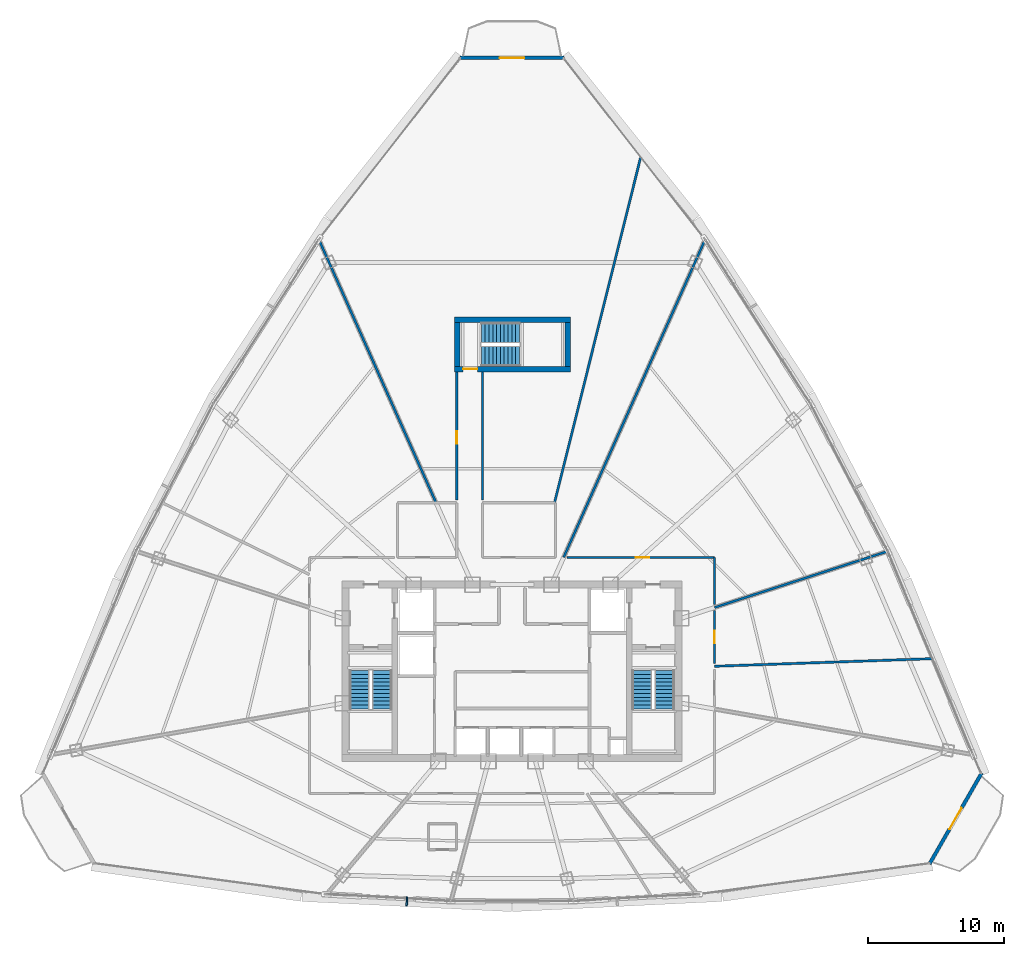
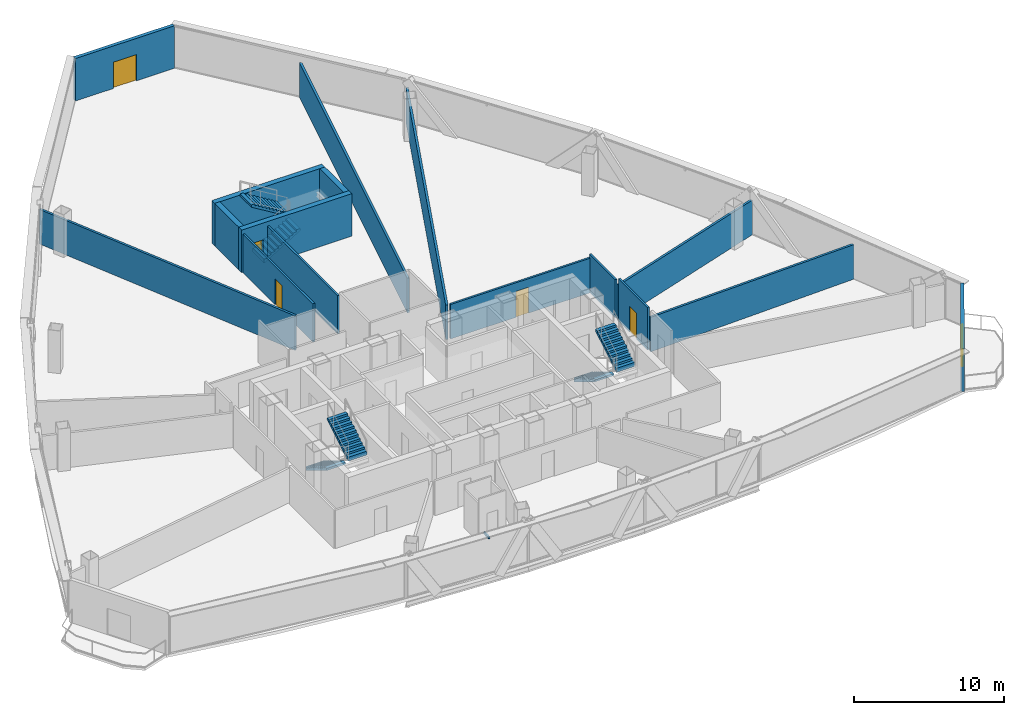
# One storey, part 32 of 37: 16 walls, 6 doors, 6 stair flights, 1 discrete accessory, 6 openings, 3 elements without a shape of their own.
"""IFC4 building model written with IfcOpenShell, lengths in metres."""

from ifc_helpers import new_model, si_unit, direction, frame, frame_2d, origin, origin_with_axes, origin_2d, place, context, subcontext, project, spatial, polyline, rectangle, outline, extrude, source, transform, mapped, material, layer, layer_set, type_object, element, fill, aggregate, save


model = new_model("IFC4")

# Units and contexts
model_context = context("Model", 3, precision=1e-05, world=origin(), true_north=direction((0.0, 1.0)))
body_context = subcontext(model_context, "Body", "Model", "MODEL_VIEW")
ifc_project = project(units=[si_unit("LENGTHUNIT", "METRE"), si_unit("AREAUNIT", "SQUARE_METRE"), si_unit("VOLUMEUNIT", "CUBIC_METRE"), si_unit("PLANEANGLEUNIT", "RADIAN"), si_unit("MASSUNIT", "GRAM", prefix="KILO"), si_unit("THERMODYNAMICTEMPERATUREUNIT", "KELVIN"), si_unit("POWERUNIT", "WATT")], contexts=[model_context])

# Site, building, storey
site_placement = place(None, origin())
site = spatial("IfcSite", under=ifc_project, at=site_placement, CompositionType="ELEMENT")
building_placement = place(site_placement, origin())
building = spatial("IfcBuilding", under=site, at=building_placement, Name="Yunzhuo Pagoda Commons", CompositionType="ELEMENT")
storey_placement = place(building_placement, frame((0.0, 0.0, 251.989990234375)))
storey = spatial("IfcBuildingStorey", under=building, at=storey_placement, Name="L63", CompositionType="ELEMENT", Elevation=251.989990234375)

# Wall, opening, door
ifc_material_1 = material(Name="Precast concrete C40", Category="concrete")
ifc_layer_1 = layer(ifc_material_1, 0.260009765625)
ifc_layer_set_1 = layer_set([ifc_layer_1], Name="Precast concrete C40")
wall_type_1 = type_object("IfcWallType", Name="W-BAL1 Corner Balcony Threshold Wall 260", PredefinedType="STANDARD", material=ifc_layer_set_1)
wall_1_placement = place(storey_placement, frame((78.593017578125, 19.728515625, 0.0), z_axis=(0.0, 0.0, 1.0), x_axis=(0.497934343816, 0.867214730761, 0.0)))
wall_1 = element("IfcWall", 1, at=wall_1_placement, inside=storey, type_object=wall_type_1, Name="L63 corner balcony wall V2", PredefinedType="STANDARD", context=body_context, shape_type="SweptSolid", body=[
    extrude(rectangle(XDim=7.68359375, YDim=0.260009765625, at=frame_2d((3.841796875, 0.0))), origin(), (0.0, 0.0, 1.0), 3.469970703125),
])
opening_1_placement = place(wall_1_placement, frame((2.94189453125, 0.0, 0.0)))
opening_1 = element("IfcOpeningElement", 2, at=opening_1_placement, cuts=wall_1, Name="Opening D-BAL1", PredefinedType="OPENING", context=body_context, shape_type="SweptSolid", body=[
    extrude(rectangle(XDim=1.800048828125, YDim=2.14990234375, at=frame_2d((0.89990234375, 1.074951171875))), frame((0.0, 0.14013671875, 0.0), z_axis=(0.0, -1.0, 0.0), x_axis=(1.0, 0.0, 0.0)), (0.0, 0.0, 1.0), 0.280029296875),
])
ifc_material_2 = material(Name="Anodized aluminium frame and tempered glazed leaf", Category="aluminium")
door_type_1 = type_object("IfcDoorType", Name="D-BAL1 Corner Balcony Sliding Glazed Door 1800x2150", OperationType="DOUBLE_DOOR_SLIDING", PredefinedType="DOOR", material=ifc_material_2)
shared_shape_1 = source(origin(), body_context, "Body", "SweptSolid", [
    extrude(rectangle(XDim=1.800048828125, YDim=2.14990234375, at=frame_2d((0.89990234375, 1.074951171875))), frame((0.0, 0.02490234375, 0.0), z_axis=(0.0, -1.0, 0.0), x_axis=(1.0, 0.0, 0.0)), (0.0, 0.0, 1.0), 0.050048828125),
])
door_1_placement = place(opening_1_placement, origin_with_axes())
door_1 = element("IfcDoor", 3, at=door_1_placement, inside=storey, type_object=door_type_1, Name="L63 corner balcony sliding door V2", OperationType="DOUBLE_DOOR_SLIDING", OverallHeight=2.14990234375, OverallWidth=1.800048828125, PredefinedType="DOOR", context=body_context, shape_type="MappedRepresentation", body=[
    mapped(shared_shape_1, transform((0.0, 0.0, 0.0), scale=1.0)),
])
fill(opening_1, door_1)

wall_2_placement = place(storey_placement, frame((51.826416015625, 78.797119140625, 0.0), z_axis=(0.0, 0.0, 1.0), x_axis=(-1.0, 0.0, 0.0)))
wall_2 = element("IfcWall", 4, at=wall_2_placement, inside=storey, type_object=wall_type_1, Name="L63 corner balcony wall V3", PredefinedType="STANDARD", context=body_context, shape_type="SweptSolid", body=[
    extrude(rectangle(XDim=7.65283203125, YDim=0.260009765625, at=frame_2d((3.826416015625, 0.0))), origin(), (0.0, 0.0, 1.0), 3.469970703125),
])
opening_2_placement = place(wall_2_placement, frame((2.926513671875, 0.0, 0.0)))
opening_2 = element("IfcOpeningElement", 5, at=opening_2_placement, cuts=wall_2, Name="Opening D-BAL1", PredefinedType="OPENING", context=body_context, shape_type="SweptSolid", body=[
    extrude(rectangle(XDim=1.800048828125, YDim=2.14990234375, at=frame_2d((0.89990234375, 1.074951171875))), frame((0.0, 0.14013671875, 0.0), z_axis=(0.0, -1.0, 0.0), x_axis=(1.0, 0.0, 0.0)), (0.0, 0.0, 1.0), 0.280029296875),
])
door_2_placement = place(opening_2_placement, origin_with_axes())
door_2 = element("IfcDoor", 6, at=door_2_placement, inside=storey, type_object=door_type_1, Name="L63 corner balcony sliding door V3", OperationType="DOUBLE_DOOR_SLIDING", OverallHeight=2.14990234375, OverallWidth=1.800048828125, PredefinedType="DOOR", context=body_context, shape_type="MappedRepresentation", body=[
    mapped(shared_shape_1, transform((0.0, 0.0, 0.0), scale=1.0)),
])
fill(opening_2, door_2)

ifc_material_3 = material(Name="Gypsum plasterboard on acoustic stud")
ifc_layer_2 = layer(ifc_material_3, 0.14990234375)
ifc_layer_set_2 = layer_set([ifc_layer_2], Name="Gypsum plasterboard on acoustic stud")
wall_type_2 = type_object("IfcWallType", Name="W-COR3 High-Zone Rated Corridor Wall 150", PredefinedType="PARTITIONING", material=ifc_layer_set_2)
wall_3_placement = place(storey_placement, frame((43.949951171875, 46.419921875, 0.0), z_axis=(0.0, 0.0, 1.0), x_axis=(0.0, 1.0, 0.0)))
wall_3 = element("IfcWall", 7, at=wall_3_placement, inside=storey, type_object=wall_type_2, Name="L63 interior wall IW-L63-CWL06", PredefinedType="PARTITIONING", context=body_context, shape_type="SweptSolid", body=[
    extrude(rectangle(XDim=9.360107421875, YDim=0.14990234375, at=frame_2d((4.68017578125, 0.0))), origin(), (0.0, 0.0, 1.0), 3.1201171875),
])
opening_3_placement = place(wall_3_placement, frame((4.110107421875, 0.0, 0.0)))
opening_3 = element("IfcOpeningElement", 8, at=opening_3_placement, cuts=wall_3, Name="Opening D-04", PredefinedType="OPENING", context=body_context, shape_type="SweptSolid", body=[
    extrude(rectangle(XDim=0.919921875, YDim=2.10009765625, at=frame_2d((0.4599609375, 1.050048828125))), frame((0.0, 0.0849609375, 0.0), z_axis=(0.0, -1.0, 0.0), x_axis=(1.0, 0.0, 0.0)), (0.0, 0.0, 1.0), 0.169921875),
])
ifc_material_4 = material(Name="Powder-coated aluminium and timber acoustic leaf", Category="wood")
door_type_2 = type_object("IfcDoorType", Name="D-04 Bedroom & Study Interior Door 920x2100", OperationType="NOTDEFINED", PredefinedType="DOOR", material=ifc_material_4)
shared_shape_2 = source(origin(), body_context, "Body", "SweptSolid", [
    extrude(rectangle(XDim=0.919921875, YDim=2.10009765625, at=frame_2d((0.4599609375, 1.050048828125))), frame((0.0, 0.02490234375, 0.0), z_axis=(0.0, -1.0, 0.0), x_axis=(1.0, 0.0, 0.0)), (0.0, 0.0, 1.0), 0.050048828125),
])
door_3_placement = place(opening_3_placement, origin_with_axes())
door_3 = element("IfcDoor", 9, at=door_3_placement, inside=storey, type_object=door_type_2, Name="L63 seminar room 04 door", OperationType="SINGLE_SWING_RIGHT", OverallHeight=2.10009765625, OverallWidth=0.919921875, PredefinedType="DOOR", context=body_context, shape_type="MappedRepresentation", body=[
    mapped(shared_shape_2, transform((0.0, 0.0, 0.0), scale=1.0)),
])
fill(opening_3, door_3)

# Wall
wall_4_placement = place(storey_placement, frame((45.85009765625, 55.780029296875, 0.0), z_axis=(0.0, 0.0, 1.0), x_axis=(0.0, -1.0, 0.0)))
element("IfcWall", 10, at=wall_4_placement, inside=storey, type_object=wall_type_2, Name="L63 interior wall IW-L63-CWL07", PredefinedType="PARTITIONING", context=body_context, shape_type="SweptSolid", body=[
    extrude(rectangle(XDim=9.360107421875, YDim=0.14990234375, at=frame_2d((4.68017578125, 0.0))), origin(), (0.0, 0.0, 1.0), 3.1201171875),
])

# Wall, opening, door
wall_5_placement = place(storey_placement, frame((52.025146484375, 42.199951171875, 0.0), z_axis=(0.0, 0.0, 1.0), x_axis=(1.0, 0.0, 0.0)))
wall_5 = element("IfcWall", 11, at=wall_5_placement, inside=storey, type_object=wall_type_2, Name="L63 interior wall IW-L63-CWL08", PredefinedType="PARTITIONING", context=body_context, shape_type="SweptSolid", body=[
    extrude(rectangle(XDim=10.824951171875, YDim=0.14990234375, at=frame_2d((5.41259765625, 0.0))), origin(), (0.0, 0.0, 1.0), 2.820068359375),
])
opening_4_placement = place(wall_5_placement, frame((5.047119140625, 0.0, 0.0)))
opening_4 = element("IfcOpeningElement", 12, at=opening_4_placement, cuts=wall_5, Name="Opening D-08", PredefinedType="OPENING", context=body_context, shape_type="SweptSolid", body=[
    extrude(rectangle(XDim=0.97998046875, YDim=2.1201171875, at=frame_2d((0.489990234375, 1.06005859375))), frame((0.0, 0.0849609375, 0.0), z_axis=(0.0, -1.0, 0.0), x_axis=(1.0, 0.0, 0.0)), (0.0, 0.0, 1.0), 0.169921875),
])
ifc_material_5 = material(Name="Galvanized fire-resisting metal leaf")
door_type_3 = type_object("IfcDoorType", Name="D-08 High-Zone Suite Entrance Fire Door 980x2120", OperationType="NOTDEFINED", PredefinedType="DOOR", material=ifc_material_5)
shared_shape_3 = source(origin(), body_context, "Body", "SweptSolid", [
    extrude(rectangle(XDim=0.97998046875, YDim=2.1201171875, at=frame_2d((0.489990234375, 1.06005859375))), frame((0.0, 0.02490234375, 0.0), z_axis=(0.0, -1.0, 0.0), x_axis=(1.0, 0.0, 0.0)), (0.0, 0.0, 1.0), 0.050048828125),
])
door_4_placement = place(opening_4_placement, origin_with_axes())
door_4 = element("IfcDoor", 13, at=door_4_placement, inside=storey, type_object=door_type_3, Name="L63 Shared Resident Kitchen and Pantry door", OperationType="SINGLE_SWING_RIGHT", OverallHeight=2.1201171875, OverallWidth=0.97998046875, PredefinedType="DOOR", context=body_context, shape_type="MappedRepresentation", body=[
    mapped(shared_shape_3, transform((0.0, 0.0, 0.0), scale=1.0)),
])
fill(opening_4, door_4)

# Wall
wall_6_placement = place(storey_placement, frame((62.85009765625, 42.199951171875, 0.0), z_axis=(0.0, 0.0, 1.0), x_axis=(0.0, -1.0, 0.0)))
element("IfcWall", 14, at=wall_6_placement, inside=storey, type_object=wall_type_2, Name="L63 interior wall IW-L63-CWL09", PredefinedType="PARTITIONING", context=body_context, shape_type="SweptSolid", body=[
    extrude(rectangle(XDim=3.443603515625, YDim=0.14990234375, at=frame_2d((1.7216796875, 0.0))), origin(), (0.0, 0.0, 1.0), 3.1201171875),
])

# Wall, opening, door
wall_7_placement = place(storey_placement, frame((62.85009765625, 38.305419921875, 0.0), z_axis=(0.0, 0.0, 1.0), x_axis=(0.0, -1.0, 0.0)))
wall_7 = element("IfcWall", 15, at=wall_7_placement, inside=storey, type_object=wall_type_2, Name="L63 interior wall IW-L63-CWL10", PredefinedType="PARTITIONING", context=body_context, shape_type="SweptSolid", body=[
    extrude(rectangle(XDim=3.86669921875, YDim=0.14990234375, at=frame_2d((1.933349609375, 0.0))), origin(), (0.0, 0.0, 1.0), 3.469970703125),
])
opening_5_placement = place(wall_7_placement, frame((1.473388671875, 0.0, 0.0)))
opening_5 = element("IfcOpeningElement", 16, at=opening_5_placement, cuts=wall_7, Name="Opening D-04", PredefinedType="OPENING", context=body_context, shape_type="SweptSolid", body=[
    extrude(rectangle(XDim=0.919921875, YDim=2.10009765625, at=frame_2d((0.4599609375, 1.050048828125))), frame((0.0, 0.0849609375, 0.0), z_axis=(0.0, -1.0, 0.0), x_axis=(1.0, 0.0, 0.0)), (0.0, 0.0, 1.0), 0.169921875),
])
door_5_placement = place(opening_5_placement, origin_with_axes())
door_5 = element("IfcDoor", 17, at=door_5_placement, inside=storey, type_object=door_type_2, Name="L63 seminar room 01 door", OperationType="SINGLE_SWING_LEFT", OverallHeight=2.10009765625, OverallWidth=0.919921875, PredefinedType="DOOR", context=body_context, shape_type="MappedRepresentation", body=[
    mapped(shared_shape_2, transform((0.0, 0.0, 0.0), scale=1.0)),
])
fill(opening_5, door_5)

# Walls
ifc_layer_3 = layer(ifc_material_3, 0.169921875)
ifc_layer_set_3 = layer_set([ifc_layer_3], Name="Gypsum plasterboard on acoustic stud")
wall_type_3 = type_object("IfcWallType", Name="W-PRT4 High-Zone Demising Wall 170", PredefinedType="PARTITIONING", material=ifc_layer_set_3)
wall_8_placement = place(storey_placement, frame((62.85009765625, 34.218505859375, 0.0), z_axis=(0.0, 0.0, 1.0), x_axis=(0.99939049717, 0.034908941063, 0.0)))
element("IfcWall", 18, at=wall_8_placement, inside=storey, type_object=wall_type_3, Name="L63 interior wall IW-L63-RAD01", PredefinedType="PARTITIONING", context=body_context, shape_type="SweptSolid", body=[
    extrude(rectangle(XDim=16.00146484375, YDim=0.169921875, at=frame_2d((8.000732421875, 0.0))), origin(), (0.0, 0.0, 1.0), 2.820068359375),
])
wall_9_placement = place(storey_placement, frame((62.85009765625, 38.525146484375, 0.0), z_axis=(0.0, 0.0, 1.0), x_axis=(0.951055435747, 0.30902031994, 0.0)))
element("IfcWall", 19, at=wall_9_placement, inside=storey, type_object=wall_type_3, Name="L63 interior wall IW-L63-RAD02", PredefinedType="PARTITIONING", context=body_context, shape_type="SweptSolid", body=[
    extrude(rectangle(XDim=13.349365234375, YDim=0.169921875, at=frame_2d((6.6748046875, 0.0))), origin(), (0.0, 0.0, 1.0), 2.820068359375),
])
wall_10_placement = place(storey_placement, frame((51.784423828125, 42.199951171875, 0.0), z_axis=(0.0, 0.0, 1.0), x_axis=(0.406736188948, 0.913545659833, 0.0)))
element("IfcWall", 20, at=wall_10_placement, inside=storey, type_object=wall_type_3, Name="L63 interior wall IW-L63-RAD03", PredefinedType="PARTITIONING", context=body_context, shape_type="SweptSolid", body=[
    extrude(rectangle(XDim=25.501220703125, YDim=0.169921875, at=frame_2d((12.75048828125, 0.0))), origin(), (0.0, 0.0, 1.0), 2.820068359375),
])
wall_11_placement = place(storey_placement, frame((51.11669921875, 46.199951171875, 0.0), z_axis=(0.0, 0.0, 1.0), x_axis=(0.241915360039, 0.970297355751, 0.0)))
element("IfcWall", 21, at=wall_11_placement, inside=storey, type_object=wall_type_3, Name="L63 interior wall IW-L63-RAD04", PredefinedType="PARTITIONING", context=body_context, shape_type="SweptSolid", body=[
    extrude(rectangle(XDim=26.119140625, YDim=0.169921875, at=frame_2d((13.0595703125, 0.0))), origin(), (0.0, 0.0, 1.0), 2.820068359375),
])
wall_12_placement = place(storey_placement, frame((42.4345703125, 46.199951171875, 0.0), z_axis=(0.0, 0.0, 1.0), x_axis=(-0.406732494706, 0.913547304605, 0.0)))
element("IfcWall", 22, at=wall_12_placement, inside=storey, type_object=wall_type_3, Name="L63 interior wall IW-L63-RAD05", PredefinedType="PARTITIONING", context=body_context, shape_type="SweptSolid", body=[
    extrude(rectangle(XDim=21.122802734375, YDim=0.169921875, at=frame_2d((10.5615234375, 0.0))), origin(), (0.0, 0.0, 1.0), 2.820068359375),
])
ifc_material_6 = material(Name="Concrete C60", Category="concrete")
ifc_layer_4 = layer(ifc_material_6, 0.39990234375)
ifc_layer_set_4 = layer_set([ifc_layer_4], Name="Concrete C60")
wall_type_4 = type_object("IfcWallType", Name="W-S01 Internal Core Shear Web 400", PredefinedType="SHEAR", material=ifc_layer_set_4)
wall_13_placement = place(storey_placement, frame((43.800048828125, 59.60009765625, 0.0), z_axis=(0.0, 0.0, 1.0), x_axis=(1.0, 0.0, 0.0)))
element("IfcWall", 23, at=wall_13_placement, inside=storey, type_object=wall_type_4, Name="L63 ST3 structural stair wall N", PredefinedType="SHEAR", context=body_context, shape_type="SweptSolid", body=[
    extrude(rectangle(XDim=8.5, YDim=0.39990234375, at=frame_2d((4.25, 0.0))), origin(), (0.0, 0.0, 1.0), 3.469970703125),
])

# Wall, opening, door
wall_14_placement = place(storey_placement, frame((43.800048828125, 56.0, 0.0), z_axis=(0.0, 0.0, 1.0), x_axis=(1.0, 0.0, 0.0)))
wall_14 = element("IfcWall", 24, at=wall_14_placement, inside=storey, type_object=wall_type_4, Name="L63 ST3 structural stair wall S", PredefinedType="SHEAR", context=body_context, shape_type="SweptSolid", body=[
    extrude(rectangle(XDim=8.5, YDim=0.39990234375, at=frame_2d((4.25, 0.0))), origin(), (0.0, 0.0, 1.0), 3.469970703125),
])
opening_6_placement = place(wall_14_placement, frame((0.6201171875, 0.0, 0.0)))
opening_6 = element("IfcOpeningElement", 25, at=opening_6_placement, cuts=wall_14, Name="Opening D-01", PredefinedType="OPENING", context=body_context, shape_type="SweptSolid", body=[
    extrude(rectangle(XDim=1.050048828125, YDim=2.10009765625, at=frame_2d((0.52490234375, 1.050048828125))), frame((0.0, 0.2099609375, 0.0), z_axis=(0.0, -1.0, 0.0), x_axis=(1.0, 0.0, 0.0)), (0.0, 0.0, 1.0), 0.419921875),
])
door_type_4 = type_object("IfcDoorType", Name="D-01 Smokeproof Stair Fire Door 1050x2100", OperationType="NOTDEFINED", PredefinedType="DOOR", material=ifc_material_5)
shared_shape_4 = source(origin(), body_context, "Body", "SweptSolid", [
    extrude(rectangle(XDim=1.050048828125, YDim=2.10009765625, at=frame_2d((0.52490234375, 1.050048828125))), frame((0.0, 0.02490234375, 0.0), z_axis=(0.0, -1.0, 0.0), x_axis=(1.0, 0.0, 0.0)), (0.0, 0.0, 1.0), 0.050048828125),
])
door_6_placement = place(opening_6_placement, frame((1.050048828125, 0.0, 0.0), z_axis=(0.0, 0.0, 1.0), x_axis=(-1.0, 0.0, 0.0)))
door_6 = element("IfcDoor", 26, at=door_6_placement, inside=storey, type_object=door_type_4, Name="L63 Stair ST3 fire door", OperationType="SINGLE_SWING_LEFT", OverallHeight=2.10009765625, OverallWidth=1.050048828125, PredefinedType="DOOR", context=body_context, shape_type="MappedRepresentation", body=[
    mapped(shared_shape_4, transform((0.0, 0.0, 0.0), scale=1.0)),
])
fill(opening_6, door_6)

# Walls
for number, where, z_axis, x_axis, name in (
    (27, (44.0, 56.199951171875, 0.0), (0.0, 0.0, 1.0), (0.0, 1.0, 0.0), "L63 ST3 structural stair wall W"),
    (28, (52.10009765625, 56.199951171875, 0.0), (0.0, 0.0, 1.0), (0.0, 1.0, 0.0), "L63 ST3 structural stair wall E"),
):
    element("IfcWall", number, at=place(storey_placement, frame(where, z_axis=z_axis, x_axis=x_axis)), inside=storey, type_object=wall_type_4, Name=name, PredefinedType="SHEAR", context=body_context, shape_type="SweptSolid", body=[
        extrude(rectangle(XDim=3.199951171875, YDim=0.39990234375, at=frame_2d((1.60009765625, 0.0))), origin(), (0.0, 0.0, 1.0), 3.469970703125),
    ])

# Stair, stair flights
ifc_material_7 = material(Name="Concrete C40", Category="concrete")
stair_type_1 = type_object("IfcStairType", Name="ST-C1 Core Smokeproof Stair ST1", PredefinedType="HALF_TURN_STAIR", material=ifc_material_7)
stair_1_placement = place(storey_placement, origin())
stair_1 = element("IfcStair", 29, at=stair_1_placement, inside=storey, type_object=stair_type_1, Name="L63 Core smokeproof stair ST1", PredefinedType="HALF_TURN_STAIR")
stair_flight_type_1 = type_object("IfcStairFlightType", Name="STF-C1 Core Stair Flight 1450", PredefinedType="STRAIGHT", material=ifc_material_7)
shared_shape_5 = source(origin(), body_context, "Body", "SweptSolid", [
    extrude(outline(polyline([(0.0, -0.14990234375), (0.0, 0.0), (0.0, 0.16943359375), (0.280029296875, 0.16943359375), (0.280029296875, 0.339111328125), (0.56005859375, 0.339111328125), (0.56005859375, 0.508544921875), (0.840087890625, 0.508544921875), (0.840087890625, 0.67822265625), (1.1201171875, 0.67822265625), (1.1201171875, 0.84765625), (1.39990234375, 0.84765625), (1.39990234375, 1.017333984375), (1.679931640625, 1.017333984375), (1.679931640625, 1.186767578125), (1.9599609375, 1.186767578125), (1.9599609375, 1.3564453125), (2.239990234375, 1.3564453125), (2.239990234375, 1.52587890625), (2.52001953125, 1.52587890625), (2.52001953125, 1.695556640625), (2.800048828125, 1.695556640625), (2.800048828125, 1.864990234375), (2.800048828125, 1.520263671875), (0.289306640625, 0.0), (0.050048828125, -0.14990234375), (0.0, -0.14990234375)])), frame((0.0, 0.72509765625, 0.0), z_axis=(0.0, -1.0, 0.0), x_axis=(1.0, 0.0, 0.0)), (0.0, 0.0, 1.0), 1.449951171875),
])
stair_flight_1_placement = place(storey_placement, frame((36.824951171875, 33.89990234375, 0.0), z_axis=(0.0, 0.0, 1.0), x_axis=(0.0, -1.0, 0.0)))
stair_flight_1 = element("IfcStairFlight", 30, at=stair_flight_1_placement, type_object=stair_flight_type_1, Name="ST1 flight 1", NumberOfRisers=11, NumberOfTreads=10, PredefinedType="STRAIGHT", RiserHeight=0.169545455, TreadLength=0.28, context=body_context, shape_type="MappedRepresentation", body=[
    mapped(shared_shape_5, transform((0.0, 0.0, 0.0), scale=1.0)),
])
stair_flight_2_placement = place(storey_placement, frame((38.47509765625, 31.10009765625, 1.864990234375), z_axis=(0.0, 0.0, 1.0), x_axis=(0.0, 1.0, 0.0)))
stair_flight_2 = element("IfcStairFlight", 31, at=stair_flight_2_placement, type_object=stair_flight_type_1, Name="ST1 flight 2", NumberOfRisers=11, NumberOfTreads=10, PredefinedType="STRAIGHT", RiserHeight=0.169545455, TreadLength=0.28, context=body_context, shape_type="MappedRepresentation", body=[
    mapped(shared_shape_5, transform((0.0, 0.0, 0.0), scale=1.0)),
])
aggregate(stair_1, [stair_flight_1, stair_flight_2])

stair_type_2 = type_object("IfcStairType", Name="ST-C2 Core Smokeproof Stair ST2", PredefinedType="HALF_TURN_STAIR", material=ifc_material_7)
stair_2_placement = place(storey_placement, origin())
stair_2 = element("IfcStair", 32, at=stair_2_placement, inside=storey, type_object=stair_type_2, Name="L63 Core smokeproof stair ST2", PredefinedType="HALF_TURN_STAIR")
stair_flight_type_2 = type_object("IfcStairFlightType", Name="STF-C2 Core Stair Flight 1460", PredefinedType="STRAIGHT", material=ifc_material_7)
stair_flight_3_placement = place(storey_placement, frame((57.52490234375, 33.89990234375, 0.0), z_axis=(0.0, 0.0, 1.0), x_axis=(0.0, -1.0, 0.0)))
stair_flight_3 = element("IfcStairFlight", 33, at=stair_flight_3_placement, type_object=stair_flight_type_2, Name="ST2 flight 1", NumberOfRisers=11, NumberOfTreads=10, PredefinedType="STRAIGHT", RiserHeight=0.169545455, TreadLength=0.28, context=body_context, shape_type="MappedRepresentation", body=[
    mapped(shared_shape_5, transform((0.0, 0.0, 0.0), scale=1.0)),
])
stair_flight_4_placement = place(storey_placement, frame((59.175048828125, 31.10009765625, 1.864990234375), z_axis=(0.0, 0.0, 1.0), x_axis=(0.0, 1.0, 0.0)))
stair_flight_4 = element("IfcStairFlight", 34, at=stair_flight_4_placement, type_object=stair_flight_type_2, Name="ST2 flight 2", NumberOfRisers=11, NumberOfTreads=10, PredefinedType="STRAIGHT", RiserHeight=0.169545455, TreadLength=0.28, context=body_context, shape_type="MappedRepresentation", body=[
    mapped(shared_shape_5, transform((0.0, 0.0, 0.0), scale=1.0)),
])
aggregate(stair_2, [stair_flight_3, stair_flight_4])

stair_type_3 = type_object("IfcStairType", Name="ST-C3 North Tower Smokeproof Stair ST3", PredefinedType="HALF_TURN_STAIR", material=ifc_material_7)
stair_3_placement = place(storey_placement, origin())
stair_3 = element("IfcStair", 35, at=stair_3_placement, inside=storey, type_object=stair_type_3, Name="L63 North tower smokeproof stair ST3", PredefinedType="HALF_TURN_STAIR")
stair_flight_type_3 = type_object("IfcStairFlightType", Name="STF-C3 North Stair Flight 1500", PredefinedType="STRAIGHT", material=ifc_material_7)
shared_shape_6 = source(origin(), body_context, "Body", "SweptSolid", [
    extrude(outline(polyline([(0.0, -0.14990234375), (0.0, 0.0), (0.0, 0.16943359375), (0.280029296875, 0.16943359375), (0.280029296875, 0.339111328125), (0.56005859375, 0.339111328125), (0.56005859375, 0.508544921875), (0.840087890625, 0.508544921875), (0.840087890625, 0.67822265625), (1.1201171875, 0.67822265625), (1.1201171875, 0.84765625), (1.39990234375, 0.84765625), (1.39990234375, 1.017333984375), (1.679931640625, 1.017333984375), (1.679931640625, 1.186767578125), (1.9599609375, 1.186767578125), (1.9599609375, 1.3564453125), (2.239990234375, 1.3564453125), (2.239990234375, 1.52587890625), (2.52001953125, 1.52587890625), (2.52001953125, 1.695556640625), (2.800048828125, 1.695556640625), (2.800048828125, 1.864990234375), (2.800048828125, 1.520263671875), (0.289306640625, 0.0), (0.050048828125, -0.14990234375), (0.0, -0.14990234375)])), frame((0.0, 0.75, 0.0), z_axis=(0.0, -1.0, 0.0), x_axis=(1.0, 0.0, 0.0)), (0.0, 0.0, 1.0), 1.5),
])
stair_flight_5_placement = place(storey_placement, frame((45.75, 56.949951171875, 0.0), z_axis=(0.0, 0.0, 1.0), x_axis=(1.0, 0.0, 0.0)))
stair_flight_5 = element("IfcStairFlight", 36, at=stair_flight_5_placement, type_object=stair_flight_type_3, Name="ST3 flight 1", NumberOfRisers=11, NumberOfTreads=10, PredefinedType="STRAIGHT", RiserHeight=0.169545455, TreadLength=0.28, context=body_context, shape_type="MappedRepresentation", body=[
    mapped(shared_shape_6, transform((0.0, 0.0, 0.0), scale=1.0)),
])
stair_flight_6_placement = place(storey_placement, frame((48.550048828125, 58.64990234375, 1.864990234375), z_axis=(0.0, 0.0, 1.0), x_axis=(-1.0, 0.0, 0.0)))
stair_flight_6 = element("IfcStairFlight", 37, at=stair_flight_6_placement, type_object=stair_flight_type_3, Name="ST3 flight 2", NumberOfRisers=11, NumberOfTreads=10, PredefinedType="STRAIGHT", RiserHeight=0.169545455, TreadLength=0.28, context=body_context, shape_type="MappedRepresentation", body=[
    mapped(shared_shape_6, transform((0.0, 0.0, 0.0), scale=1.0)),
])
aggregate(stair_3, [stair_flight_5, stair_flight_6])

# Discrete accessory
ifc_material_8 = material(Name="Anodized aluminium 6063-T6", Category="aluminium")
discrete_accessory_type = type_object("IfcDiscreteAccessoryType", Name="BK-SUN1 Sunshade Outrigger Bracket", PredefinedType="BRACKET", material=ifc_material_8)
shared_shape_7 = source(origin(), body_context, "Body", "SweptSolid", [
    extrude(rectangle(XDim=0.1201171875, YDim=0.679931640625, at=origin_2d()), origin(), (0.0, 0.0, 1.0), 0.179931640625),
])
discrete_accessory_placement = place(storey_placement, frame((40.295166015625, 16.972900390625, 3.26025390625), z_axis=(0.0, 0.0, 1.0), x_axis=(0.998818043775, -0.04860571396, 0.0)))
element("IfcDiscreteAccessory", 38, at=discrete_accessory_placement, inside=storey, type_object=discrete_accessory_type, Name="L63 sunshade outrigger bracket F1.2", PredefinedType="BRACKET", context=body_context, shape_type="MappedRepresentation", body=[
    mapped(shared_shape_7, transform((0.0, 0.0, 0.0), scale=1.0)),
])

save(model, "model.ifc")
